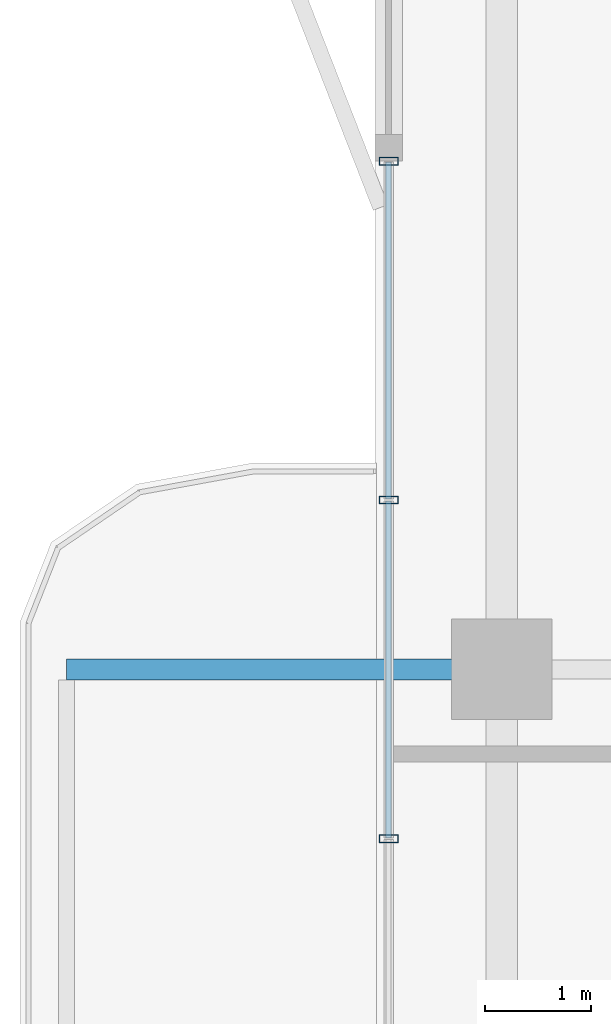
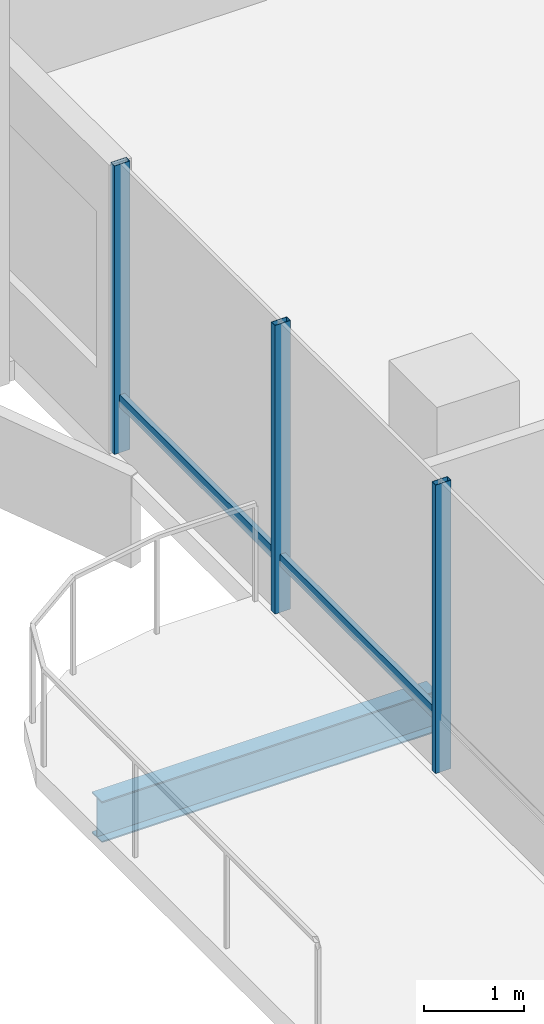
# One storey, part 7 of 20: 5 members, 1 beam, 1 element without a shape of its own.
"""IFC4 building model written with IfcOpenShell, lengths in metres."""

from ifc_helpers import new_model, si_unit, direction, frame, origin, origin_2d, place, context, subcontext, project, spatial, hollow_rectangle, i_section, extrude, material, layer, layer_set, material_profile, profile_set, type_object, element, aggregate, save


model = new_model("IFC4")

# Units and contexts
model_context = context("Model", 3, precision=1e-05, world=origin(), true_north=direction((0.0, 1.0)))
body_context = subcontext(model_context, "Body", "Model", "MODEL_VIEW")
ifc_project = project(units=[si_unit("LENGTHUNIT", "METRE"), si_unit("AREAUNIT", "SQUARE_METRE"), si_unit("VOLUMEUNIT", "CUBIC_METRE"), si_unit("PLANEANGLEUNIT", "RADIAN"), si_unit("MASSUNIT", "GRAM", prefix="KILO")], contexts=[model_context])

# Site, building, storey
site_placement = place(None, origin())
site = spatial("IfcSite", under=ifc_project, at=site_placement, CompositionType="ELEMENT")
building_placement = place(site_placement, origin())
building = spatial("IfcBuilding", under=site, at=building_placement, Name="Belovzor Exchange Tower", CompositionType="ELEMENT")
storey_placement = place(building_placement, frame((0.0, 0.0, 299.25)))
storey = spatial("IfcBuildingStorey", under=building, at=storey_placement, Name="L74", CompositionType="ELEMENT", Elevation=299.25)

# Beam
ifc_material_1 = material(Name="Steel S355", Category="steel")
ifc_material_profile_1 = material_profile(ifc_material_1, i_section(OverallWidth=0.199951171875, OverallDepth=0.5, WebThickness=0.01025390625, FlangeThickness=0.01611328125, at=origin_2d()))
ifc_profile_set_1 = profile_set([ifc_material_profile_1], Name="Steel S355")
beam_type = type_object("IfcBeamType", Name="Planted Balcony Cantilever Beam IPE 500", PredefinedType="BEAM", material=ifc_profile_set_1)
beam_placement = place(storey_placement, frame((6.93896484375, 28.800048828125, -0.489990234375), z_axis=(-1.0, 0.0, 0.0), x_axis=(0.0, -1.0, 0.0)))
element("IfcBeam", 1, at=beam_placement, inside=storey, type_object=beam_type, Name="BC-500 Planted Balcony Cantilever Beam IPE 500", PredefinedType="BEAM", context=body_context, shape_type="SweptSolid", body=[
    extrude(i_section(OverallWidth=0.199951171875, OverallDepth=0.5, WebThickness=0.01025390625, FlangeThickness=0.01611328125, at=origin_2d()), origin(), (0.0, 0.0, 1.0), 3.849853515625),
])

# Curtain wall, members
ifc_material_2 = material(Name="Anodised Aluminium Framing", Category="aluminium")
ifc_layer = layer(ifc_material_2, 0.179931640625)
ifc_layer_set = layer_set([ifc_layer], Name="Anodised Aluminium Framing")
curtain_wall_type = type_object("IfcCurtainWallType", Name="Recessed Loggia Low-Iron Triple-Glazed Curtain Wall", PredefinedType="NOTDEFINED", material=ifc_layer_set)
curtain_wall_placement = place(storey_placement, origin())
curtain_wall = element("IfcCurtainWall", 2, at=curtain_wall_placement, inside=storey, type_object=curtain_wall_type, Name="CW3 Recessed Loggia Low-Iron Triple-Glazed Curtain Wall L74", PredefinedType="NOTDEFINED")
ifc_material_3 = material(Name="Steel S355", Category="steel")
ifc_material_profile_2 = material_profile(ifc_material_3, hollow_rectangle(XDim=0.074951171875, YDim=0.179931640625, WallThickness=0.0048828125, at=origin_2d()))
ifc_profile_set_2 = profile_set([ifc_material_profile_2], Name="Steel S355")
member_type_1 = type_object("IfcMemberType", Name="Thermally Broken Curtain Wall Mullion 180x75", PredefinedType="MULLION", material=ifc_profile_set_2)
member_1_placement = place(storey_placement, frame((6.1298828125, 27.199951171875, 0.0), z_axis=(0.0, 0.0, 1.0), x_axis=(0.0, 1.0, 0.0)))
member_1 = element("IfcMember", 3, at=member_1_placement, type_object=member_type_1, Name="CW-M180 Curtain Wall Mullion 2", PredefinedType="MULLION", context=body_context, shape_type="SweptSolid", body=[
    extrude(hollow_rectangle(XDim=0.074951171875, YDim=0.179931640625, WallThickness=0.0048828125, at=origin_2d()), origin(), (0.0, 0.0, 1.0), 3.510009765625),
])
member_2_placement = place(storey_placement, frame((6.1298828125, 30.39990234375, 0.0), z_axis=(0.0, 0.0, 1.0), x_axis=(0.0, 1.0, 0.0)))
member_2 = element("IfcMember", 4, at=member_2_placement, type_object=member_type_1, Name="CW-M180 Curtain Wall Mullion 3", PredefinedType="MULLION", context=body_context, shape_type="SweptSolid", body=[
    extrude(hollow_rectangle(XDim=0.074951171875, YDim=0.179931640625, WallThickness=0.0048828125, at=origin_2d()), origin(), (0.0, 0.0, 1.0), 3.510009765625),
])
member_3_placement = place(storey_placement, frame((6.1298828125, 33.60009765625, 0.0), z_axis=(0.0, 0.0, 1.0), x_axis=(0.0, 1.0, 0.0)))
member_3 = element("IfcMember", 5, at=member_3_placement, type_object=member_type_1, Name="CW-M180 Curtain Wall Mullion 4", PredefinedType="MULLION", context=body_context, shape_type="SweptSolid", body=[
    extrude(hollow_rectangle(XDim=0.074951171875, YDim=0.179931640625, WallThickness=0.0048828125, at=origin_2d()), origin(), (0.0, 0.0, 1.0), 3.510009765625),
])
ifc_material_4 = material(Name="Steel S355", Category="steel")
ifc_material_profile_3 = material_profile(ifc_material_4, hollow_rectangle(XDim=0.06005859375, YDim=0.14990234375, WallThickness=0.00390625, at=origin_2d()))
ifc_profile_set_3 = profile_set([ifc_material_profile_3], Name="Steel S355")
member_type_2 = type_object("IfcMemberType", Name="Thermally Broken Curtain Wall Transom 150x60", PredefinedType="USERDEFINED", material=ifc_profile_set_3)
member_4_placement = place(storey_placement, frame((6.1298828125, 27.2080078125, 0.632080078125), z_axis=(0.0, 1.0, 0.0), x_axis=(-1.0, 0.0, 0.0)))
member_4 = element("IfcMember", 6, at=member_4_placement, type_object=member_type_2, Name="CW-T150 Curtain Wall Transom 2", ObjectType="TRANSOM", PredefinedType="USERDEFINED", context=body_context, shape_type="SweptSolid", body=[
    extrude(hollow_rectangle(XDim=0.06005859375, YDim=0.14990234375, WallThickness=0.00390625, at=origin_2d()), origin(), (0.0, 0.0, 1.0), 3.18408203125),
])
member_5_placement = place(storey_placement, frame((6.1298828125, 30.407958984375, 0.632080078125), z_axis=(0.0, 1.0, 0.0), x_axis=(-1.0, 0.0, 0.0)))
member_5 = element("IfcMember", 7, at=member_5_placement, type_object=member_type_2, Name="CW-T150 Curtain Wall Transom 3", ObjectType="TRANSOM", PredefinedType="USERDEFINED", context=body_context, shape_type="SweptSolid", body=[
    extrude(hollow_rectangle(XDim=0.06005859375, YDim=0.14990234375, WallThickness=0.00390625, at=origin_2d()), origin(), (0.0, 0.0, 1.0), 3.18408203125),
])
aggregate(curtain_wall, [member_1, member_2, member_3, member_4, member_5])

save(model, "model.ifc")
